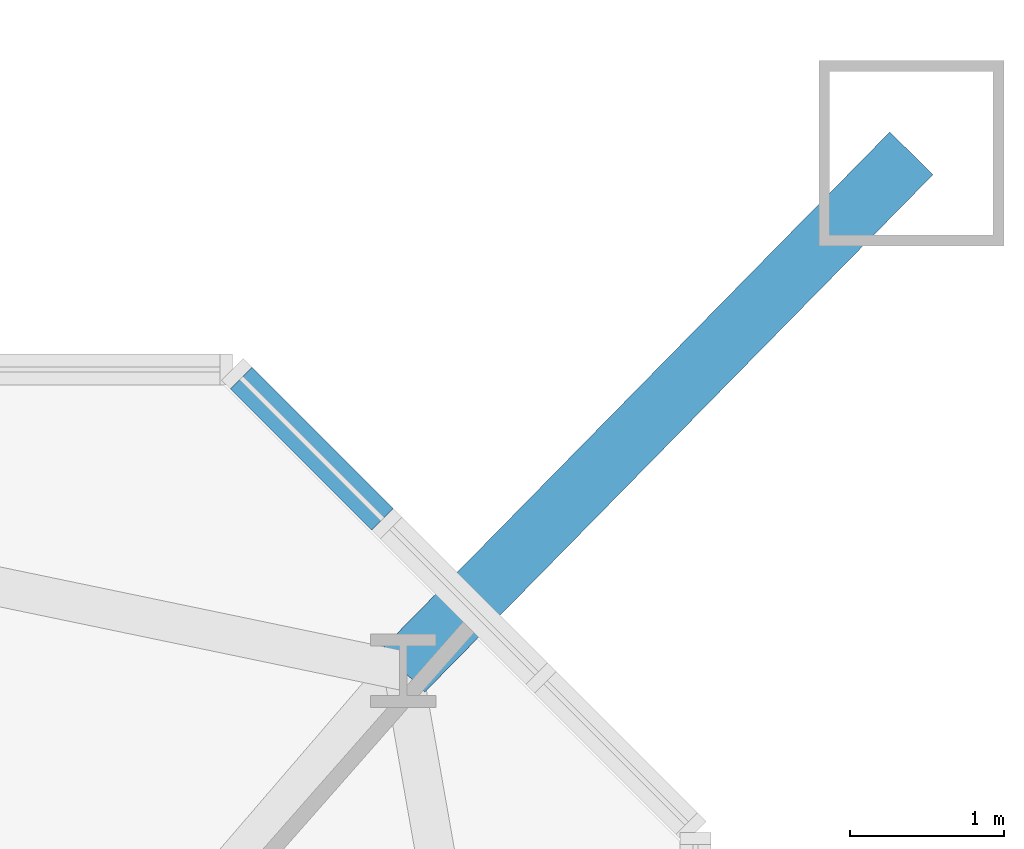
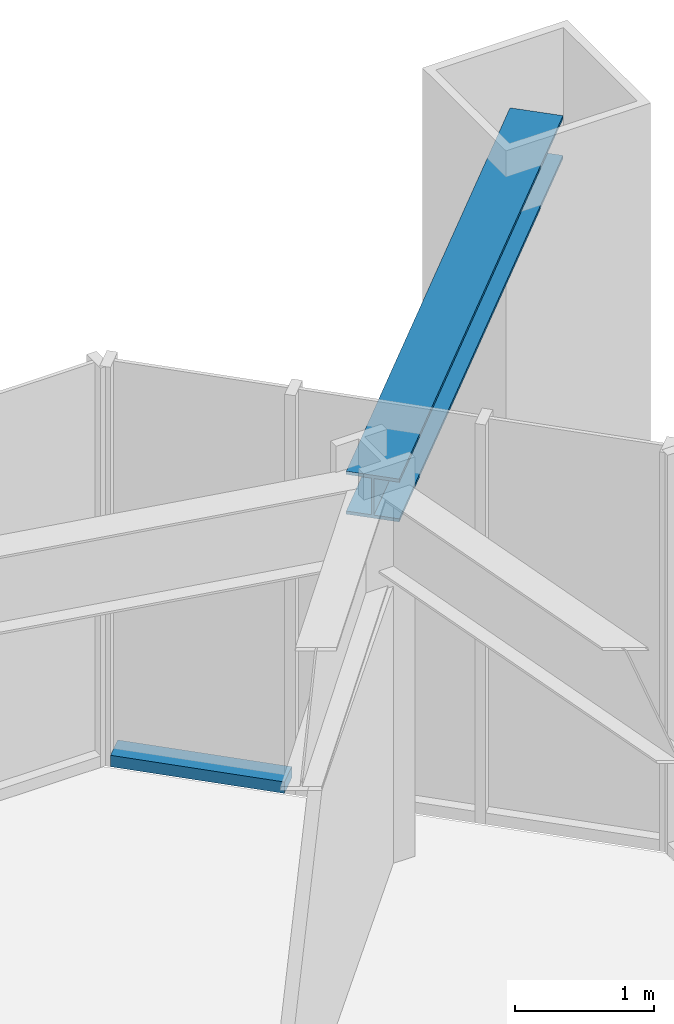
# One storey, part 11 of 26: 2 members, 1 element without a shape of its own.
"""IFC4 building model written with IfcOpenShell, lengths in metres."""

from ifc_helpers import new_model, si_unit, direction, frame, origin, origin_2d, place, context, subcontext, project, spatial, rectangle, i_section, extrude, material, material_profile, profile_set, type_object, element, aggregate, save


model = new_model("IFC4")

# Units and contexts
model_context = context("Model", 3, precision=1e-05, world=origin(), true_north=direction((0.0, 1.0)))
body_context = subcontext(model_context, "Body", "Model", "MODEL_VIEW")
ifc_project = project(units=[si_unit("LENGTHUNIT", "METRE"), si_unit("AREAUNIT", "SQUARE_METRE"), si_unit("VOLUMEUNIT", "CUBIC_METRE"), si_unit("PLANEANGLEUNIT", "RADIAN"), si_unit("MASSUNIT", "GRAM", prefix="KILO")], contexts=[model_context])

# Site, building, storey
site_placement = place(None, origin())
site = spatial("IfcSite", under=ifc_project, at=site_placement, CompositionType="ELEMENT")
building_placement = place(site_placement, origin())
building = spatial("IfcBuilding", under=site, at=building_placement, Name="Iwan Alto Co-Living Towers", CompositionType="ELEMENT")
storey_placement = place(building_placement, frame((0.0, 0.0, 36.0)))
storey = spatial("IfcBuildingStorey", under=building, at=storey_placement, Name="L09", CompositionType="ELEMENT", Elevation=36.0)

# Curtain wall, member
ifc_material_1 = material(Name="Bronze aluminium unitised frame", Category="aluminium")
curtain_wall_type = type_object("IfcCurtainWallType", Name="CURTAIN WALL CW-D", PredefinedType="NOTDEFINED", material=ifc_material_1)
curtain_wall_placement = place(storey_placement, origin())
curtain_wall = element("IfcCurtainWall", 1, at=curtain_wall_placement, inside=storey, type_object=curtain_wall_type, Name="T2 chamfer curtain wall NE L09", PredefinedType="NOTDEFINED")
ifc_material_2 = material(Name="Aluminium 6063-T6 bronze anodised", Category="aluminium")
ifc_material_profile_1 = material_profile(ifc_material_2, rectangle(XDim=0.199951171875, YDim=0.10009765625, at=origin_2d()), Name="AL 200X100")
ifc_profile_set_1 = profile_set([ifc_material_profile_1], Name="Aluminium 6063-T6 bronze anodised")
member_type_1 = type_object("IfcMemberType", Name="CW-D TRANSOM 200X100", PredefinedType="USERDEFINED", material=ifc_profile_set_1)
member_1_placement = place(storey_placement, frame((77.4716796875, 17.7783203125, 0.050048828125), z_axis=(-0.707106781187, 0.707106781187, 0.0), x_axis=(-0.707106781187, -0.707106781187, 0.0)))
member_1 = element("IfcMember", 2, at=member_1_placement, type_object=member_type_1, Name="CW-D transom 3.1", ObjectType="TRANSOM", PredefinedType="USERDEFINED", context=body_context, shape_type="SweptSolid", body=[
    extrude(rectangle(XDim=0.199951171875, YDim=0.10009765625, at=origin_2d()), origin(), (0.0, 0.0, 1.0), 1.2939453125),
])
aggregate(curtain_wall, [member_1])

# Member
ifc_material_3 = material(Name="Steel ASTM A992 Gr 50", Category="steel")
ifc_material_profile_2 = material_profile(ifc_material_3, i_section(OverallWidth=0.393798828125, OverallDepth=0.3759765625, WebThickness=0.017333984375, FlangeThickness=0.027587890625, at=origin_2d()), Name="W14X145")
ifc_profile_set_2 = profile_set([ifc_material_profile_2], Name="Steel ASTM A992 Gr 50")
member_type_2 = type_object("IfcMemberType", Name="T2 MEGA COLUMN FLOOR TIE W14X145", PredefinedType="STRUT", material=ifc_profile_set_2)
member_2_placement = place(storey_placement, frame((80.89990234375, 20.14990234375, 3.08203125), z_axis=(-0.700793469544, -0.71336422187, 0.0), x_axis=(0.71336422187, -0.700793469544, 0.0)))
element("IfcMember", 3, at=member_2_placement, inside=storey, type_object=member_type_2, Name="T2 mega column floor tie NE L10", PredefinedType="STRUT", context=body_context, shape_type="SweptSolid", body=[
    extrude(i_section(OverallWidth=0.393798828125, OverallDepth=0.3759765625, WebThickness=0.017333984375, FlangeThickness=0.027587890625, at=origin_2d()), origin(), (0.0, 0.0, 1.0), 4.699951171875),
])

save(model, "model.ifc")
